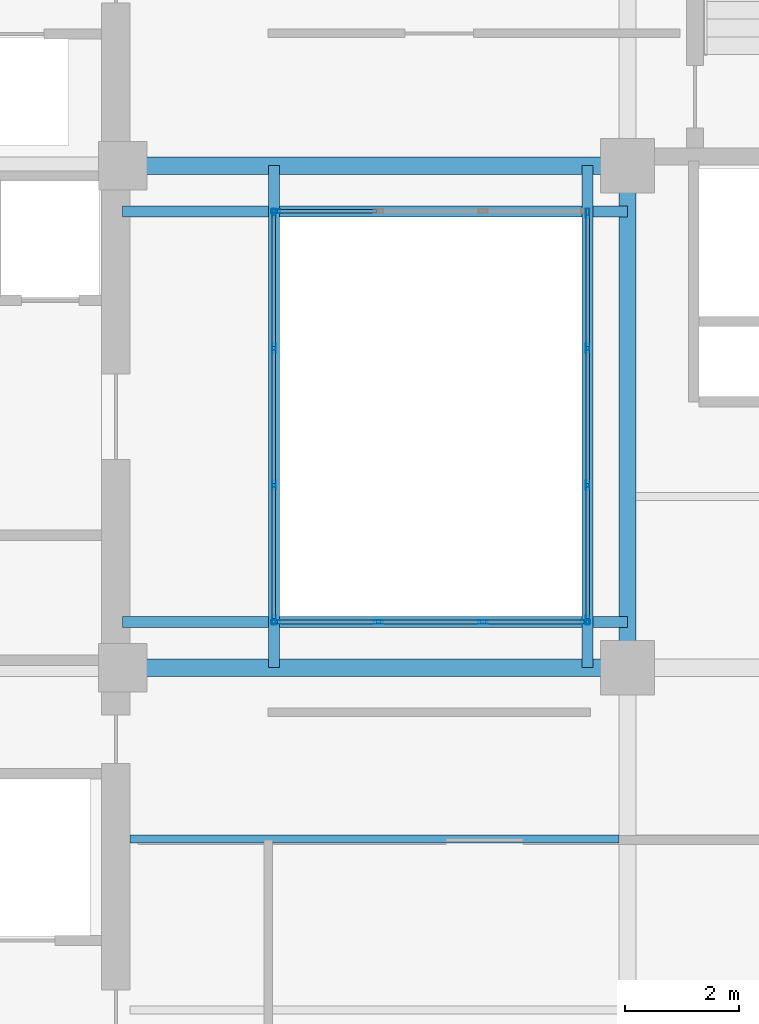
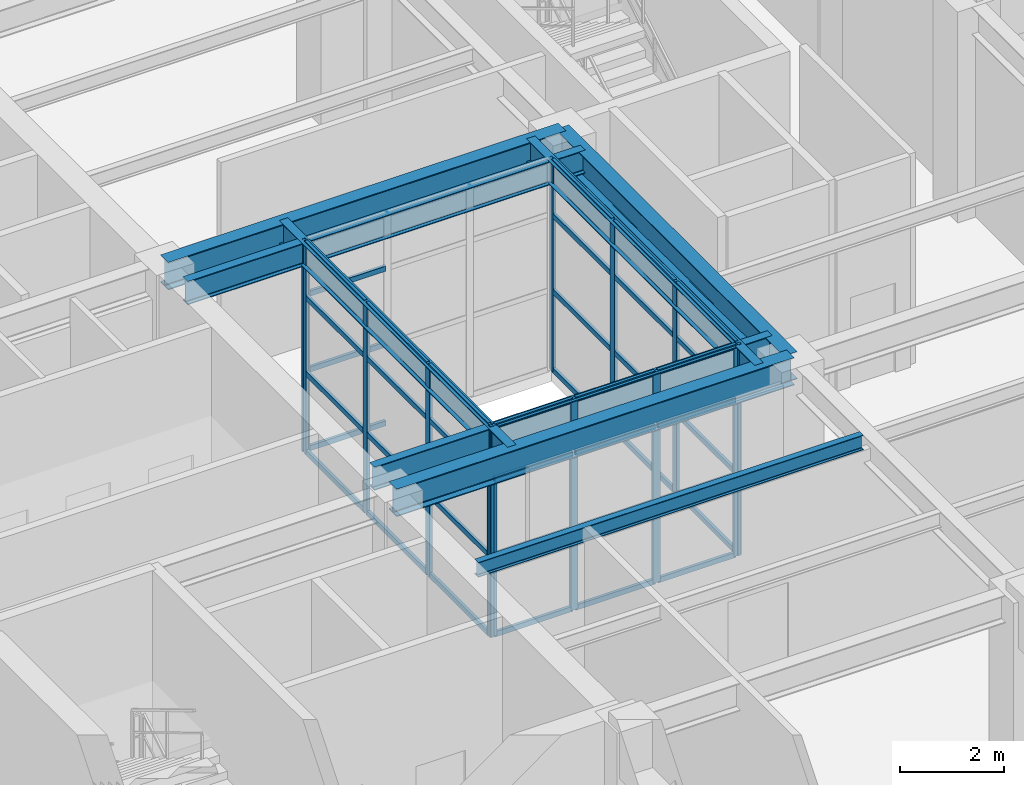
# One storey, part 2 of 13: 52 members, 8 beams, 4 elements without a shape of their own.
"""IFC4 building model written with IfcOpenShell, lengths in metres."""

from ifc_helpers import new_model, si_unit, direction, frame, origin, origin_2d, place, context, subcontext, project, spatial, hollow_rectangle, i_section, extrude, material, layer, layer_set, material_profile, profile_set, type_object, element, aggregate, save


model = new_model("IFC4")

# Units and contexts
model_context = context("Model", 3, precision=1e-05, world=origin(), true_north=direction((0.0, 1.0)))
body_context = subcontext(model_context, "Body", "Model", "MODEL_VIEW")
ifc_project = project(units=[si_unit("LENGTHUNIT", "METRE"), si_unit("AREAUNIT", "SQUARE_METRE"), si_unit("VOLUMEUNIT", "CUBIC_METRE"), si_unit("PLANEANGLEUNIT", "RADIAN"), si_unit("MASSUNIT", "GRAM", prefix="KILO")], contexts=[model_context])

# Site, building, storey
site_placement = place(None, origin())
site = spatial("IfcSite", under=ifc_project, at=site_placement, CompositionType="ELEMENT")
building_placement = place(site_placement, origin())
building = spatial("IfcBuilding", under=site, at=building_placement, Name="Kundavana Baori Tower", CompositionType="ELEMENT")
storey_placement = place(building_placement, frame((0.0, 0.0, 208.89990234375)))
storey = spatial("IfcBuildingStorey", under=building, at=storey_placement, Name="L51", CompositionType="ELEMENT", Elevation=208.89990234375)

# Beams
ifc_material_1 = material(Name="Structural Steel S355JR", Category="steel")
ifc_material_profile_1 = material_profile(ifc_material_1, i_section(OverallWidth=0.139892578125, OverallDepth=0.35009765625, WebThickness=0.008056640625, FlangeThickness=0.01416015625, FilletRadius=0.013916015625, at=origin_2d()), Name="ISMB 350")
ifc_profile_set_1 = profile_set([ifc_material_profile_1], Name="Structural Steel S355JR")
beam_type_1 = type_object("IfcBeamType", Name="BM-JST-350", PredefinedType="JOIST", material=ifc_profile_set_1)
beam_1_placement = place(storey_placement, frame((25.080078125, 21.199951171875, 4.78515625), z_axis=(1.0, 0.0, 0.0), x_axis=(0.0, 1.0, 0.0)))
element("IfcBeam", 1, at=beam_1_placement, inside=storey, type_object=beam_type_1, Name="L51 Central Bay Composite Floor Joist C2", PredefinedType="JOIST", context=body_context, shape_type="SweptSolid", body=[
    extrude(i_section(OverallWidth=0.139892578125, OverallDepth=0.35009765625, WebThickness=0.008056640625, FlangeThickness=0.01416015625, FilletRadius=0.013916015625, at=origin_2d()), origin(), (0.0, 0.0, 1.0), 8.56982421875),
])
ifc_material_2 = material(Name="Structural Steel S355JR", Category="steel")
ifc_material_profile_2 = material_profile(ifc_material_2, i_section(OverallWidth=0.18994140625, OverallDepth=0.550048828125, WebThickness=0.01123046875, FlangeThickness=0.019287109375, FilletRadius=0.01806640625, at=origin_2d()), Name="ISMB 550")
ifc_profile_set_2 = profile_set([ifc_material_profile_2], Name="Structural Steel S355JR")
beam_type_2 = type_object("IfcBeamType", Name="BM-ST-550", PredefinedType="BEAM", material=ifc_profile_set_2)
for number, where, z_axis, x_axis, name in (
    (2, (27.60009765625, 24.199951171875, 4.68505859375), (0.0, 1.0, 0.0), (-1.0, 0.0, 0.0), "L51 Atrium West Edge Beam"),
    (3, (33.10009765625, 24.199951171875, 4.68505859375), (0.0, 1.0, 0.0), (-1.0, 0.0, 0.0), "L51 Atrium East Edge Beam"),
):
    element("IfcBeam", number, at=place(storey_placement, frame(where, z_axis=z_axis, x_axis=x_axis)), inside=storey, type_object=beam_type_2, Name=name, PredefinedType="BEAM", context=body_context, shape_type="SweptSolid", body=[
        extrude(i_section(OverallWidth=0.18994140625, OverallDepth=0.550048828125, WebThickness=0.01123046875, FlangeThickness=0.019287109375, FilletRadius=0.01806640625, at=origin_2d()), origin(), (0.0, 0.0, 1.0), 8.800048828125),
    ])
for number, where, z_axis, x_axis, name in (
    (4, (24.949951171875, 25.0, 4.68505859375), (1.0, 0.0, 0.0), (0.0, 1.0, 0.0), "L51 Atrium South Edge Beam"),
    (5, (24.949951171875, 32.199951171875, 4.68505859375), (1.0, 0.0, 0.0), (0.0, 1.0, 0.0), "L51 Atrium North Edge Beam"),
):
    element("IfcBeam", number, at=place(storey_placement, frame(where, z_axis=z_axis, x_axis=x_axis)), inside=storey, type_object=beam_type_2, Name=name, PredefinedType="BEAM", context=body_context, shape_type="SweptSolid", body=[
        extrude(i_section(OverallWidth=0.18994140625, OverallDepth=0.550048828125, WebThickness=0.01123046875, FlangeThickness=0.019287109375, FilletRadius=0.01806640625, at=origin_2d()), origin(), (0.0, 0.0, 1.0), 8.85009765625),
    ])
ifc_material_3 = material(Name="Structural Steel S355JR", Category="steel")
ifc_material_profile_3 = material_profile(ifc_material_3, i_section(OverallWidth=0.300048828125, OverallDepth=0.64990234375, WebThickness=0.013427734375, FlangeThickness=0.02197265625, FilletRadius=0.02392578125, at=origin_2d()), Name="NPB 650x300x155")
ifc_profile_set_3 = profile_set([ifc_material_profile_3], Name="Structural Steel S355JR")
beam_type_3 = type_object("IfcBeamType", Name="BM-ST-650", PredefinedType="BEAM", material=ifc_profile_set_3)
for number, where, z_axis, x_axis, name in (
    (6, (24.949951171875, 24.199951171875, 4.635009765625), (1.0, 0.0, 0.0), (0.0, 1.0, 0.0), "L51 Primary Grid Girder GX-2-2"),
    (7, (24.949951171875, 33.0, 4.635009765625), (1.0, 0.0, 0.0), (0.0, 1.0, 0.0), "L51 Primary Grid Girder GX-3-2"),
):
    element("IfcBeam", number, at=place(storey_placement, frame(where, z_axis=z_axis, x_axis=x_axis)), inside=storey, type_object=beam_type_3, Name=name, PredefinedType="BEAM", context=body_context, shape_type="SweptSolid", body=[
        extrude(i_section(OverallWidth=0.300048828125, OverallDepth=0.64990234375, WebThickness=0.013427734375, FlangeThickness=0.02197265625, FilletRadius=0.02392578125, at=origin_2d()), origin(), (0.0, 0.0, 1.0), 8.85009765625),
    ])
beam_2_placement = place(storey_placement, frame((33.800048828125, 24.199951171875, 4.635009765625), z_axis=(0.0, 1.0, 0.0), x_axis=(-1.0, 0.0, 0.0)))
element("IfcBeam", 8, at=beam_2_placement, inside=storey, type_object=beam_type_3, Name="L51 Primary Grid Girder GY-3-2", PredefinedType="BEAM", context=body_context, shape_type="SweptSolid", body=[
    extrude(i_section(OverallWidth=0.300048828125, OverallDepth=0.64990234375, WebThickness=0.013427734375, FlangeThickness=0.02197265625, FilletRadius=0.02392578125, at=origin_2d()), origin(), (0.0, 0.0, 1.0), 8.800048828125),
])

# Curtain wall, members
ifc_material_4 = material(Name="Thermally Broken Anodised Aluminium Framing", Category="aluminium")
ifc_layer = layer(ifc_material_4, 0.219970703125, Name="CW-SYS-5")
ifc_layer_set = layer_set([ifc_layer], Name="Thermally Broken Anodised Aluminium Framing")
curtain_wall_type = type_object("IfcCurtainWallType", Name="CW-SYS-5", PredefinedType="NOTDEFINED", material=ifc_layer_set)
curtain_wall_1_placement = place(storey_placement, origin())
curtain_wall_1 = element("IfcCurtainWall", 9, at=curtain_wall_1_placement, inside=storey, type_object=curtain_wall_type, Name="L51 Atrium Glazed Curtain Wall S", PredefinedType="NOTDEFINED")
ifc_material_5 = material(Name="Thermally Broken Anodised Aluminium Framing", Category="aluminium")
ifc_material_profile_4 = material_profile(ifc_material_5, hollow_rectangle(XDim=0.06494140625, YDim=0.159912109375, WallThickness=0.00390625, at=origin_2d()), Name="CW-MULL-160")
ifc_profile_set_4 = profile_set([ifc_material_profile_4], Name="Thermally Broken Anodised Aluminium Framing")
member_type_1 = type_object("IfcMemberType", Name="CW-MULL-160", PredefinedType="MULLION", material=ifc_profile_set_4)
member_1_placement = place(storey_placement, frame((27.632568359375, 25.0, 0.0), z_axis=(0.0, 0.0, 1.0), x_axis=(0.0, 1.0, 0.0)))
member_1 = element("IfcMember", 10, at=member_1_placement, type_object=member_type_1, Name="CW5 mullion 1", PredefinedType="MULLION", context=body_context, shape_type="SweptSolid", body=[
    extrude(hollow_rectangle(XDim=0.06494140625, YDim=0.159912109375, WallThickness=0.00390625, at=origin_2d()), origin(), (0.0, 0.0, 1.0), 4.960205078125),
])
member_2_placement = place(storey_placement, frame((29.433349609375, 25.0, 0.0), z_axis=(0.0, 0.0, 1.0), x_axis=(0.0, 1.0, 0.0)))
member_2 = element("IfcMember", 11, at=member_2_placement, type_object=member_type_1, Name="CW5 mullion 2", PredefinedType="MULLION", context=body_context, shape_type="SweptSolid", body=[
    extrude(hollow_rectangle(XDim=0.06494140625, YDim=0.159912109375, WallThickness=0.00390625, at=origin_2d()), origin(), (0.0, 0.0, 1.0), 4.960205078125),
])
member_3_placement = place(storey_placement, frame((31.2666015625, 25.0, 0.0), z_axis=(0.0, 0.0, 1.0), x_axis=(0.0, 1.0, 0.0)))
member_3 = element("IfcMember", 12, at=member_3_placement, type_object=member_type_1, Name="CW5 mullion 3", PredefinedType="MULLION", context=body_context, shape_type="SweptSolid", body=[
    extrude(hollow_rectangle(XDim=0.06494140625, YDim=0.159912109375, WallThickness=0.00390625, at=origin_2d()), origin(), (0.0, 0.0, 1.0), 4.960205078125),
])
member_4_placement = place(storey_placement, frame((33.0673828125, 25.0, 0.0), z_axis=(0.0, 0.0, 1.0), x_axis=(0.0, 1.0, 0.0)))
member_4 = element("IfcMember", 13, at=member_4_placement, type_object=member_type_1, Name="CW5 mullion 4", PredefinedType="MULLION", context=body_context, shape_type="SweptSolid", body=[
    extrude(hollow_rectangle(XDim=0.06494140625, YDim=0.159912109375, WallThickness=0.00390625, at=origin_2d()), origin(), (0.0, 0.0, 1.0), 4.960205078125),
])

curtain_wall_2_placement = place(storey_placement, origin())
curtain_wall_2 = element("IfcCurtainWall", 14, at=curtain_wall_2_placement, inside=storey, type_object=curtain_wall_type, Name="L51 Atrium Glazed Curtain Wall E", PredefinedType="NOTDEFINED")
member_5_placement = place(storey_placement, frame((33.10009765625, 25.032470703125, 0.0), z_axis=(0.0, 0.0, 1.0), x_axis=(-1.0, 0.0, 0.0)))
member_5 = element("IfcMember", 15, at=member_5_placement, type_object=member_type_1, Name="CW5 mullion 1", PredefinedType="MULLION", context=body_context, shape_type="SweptSolid", body=[
    extrude(hollow_rectangle(XDim=0.06494140625, YDim=0.159912109375, WallThickness=0.00390625, at=origin_2d()), origin(), (0.0, 0.0, 1.0), 4.960205078125),
])
member_6_placement = place(storey_placement, frame((33.10009765625, 27.39990234375, 0.0), z_axis=(0.0, 0.0, 1.0), x_axis=(-1.0, 0.0, 0.0)))
member_6 = element("IfcMember", 16, at=member_6_placement, type_object=member_type_1, Name="CW5 mullion 2", PredefinedType="MULLION", context=body_context, shape_type="SweptSolid", body=[
    extrude(hollow_rectangle(XDim=0.06494140625, YDim=0.159912109375, WallThickness=0.00390625, at=origin_2d()), origin(), (0.0, 0.0, 1.0), 4.960205078125),
])
member_7_placement = place(storey_placement, frame((33.10009765625, 29.800048828125, 0.0), z_axis=(0.0, 0.0, 1.0), x_axis=(-1.0, 0.0, 0.0)))
member_7 = element("IfcMember", 17, at=member_7_placement, type_object=member_type_1, Name="CW5 mullion 3", PredefinedType="MULLION", context=body_context, shape_type="SweptSolid", body=[
    extrude(hollow_rectangle(XDim=0.06494140625, YDim=0.159912109375, WallThickness=0.00390625, at=origin_2d()), origin(), (0.0, 0.0, 1.0), 4.960205078125),
])
member_8_placement = place(storey_placement, frame((33.10009765625, 32.16748046875, 0.0), z_axis=(0.0, 0.0, 1.0), x_axis=(-1.0, 0.0, 0.0)))
member_8 = element("IfcMember", 18, at=member_8_placement, type_object=member_type_1, Name="CW5 mullion 4", PredefinedType="MULLION", context=body_context, shape_type="SweptSolid", body=[
    extrude(hollow_rectangle(XDim=0.06494140625, YDim=0.159912109375, WallThickness=0.00390625, at=origin_2d()), origin(), (0.0, 0.0, 1.0), 4.960205078125),
])

# Curtain wall, member
curtain_wall_3_placement = place(storey_placement, origin())
curtain_wall_3 = element("IfcCurtainWall", 19, at=curtain_wall_3_placement, inside=storey, type_object=curtain_wall_type, Name="L51 Atrium Glazed Curtain Wall N", PredefinedType="NOTDEFINED")
member_9_placement = place(storey_placement, frame((27.632568359375, 32.199951171875, 0.0), z_axis=(0.0, 0.0, 1.0), x_axis=(0.0, -1.0, 0.0)))
member_9 = element("IfcMember", 20, at=member_9_placement, type_object=member_type_1, Name="CW5 mullion 4", PredefinedType="MULLION", context=body_context, shape_type="SweptSolid", body=[
    extrude(hollow_rectangle(XDim=0.06494140625, YDim=0.159912109375, WallThickness=0.00390625, at=origin_2d()), origin(), (0.0, 0.0, 1.0), 4.960205078125),
])

# Curtain wall, members
curtain_wall_4_placement = place(storey_placement, origin())
curtain_wall_4 = element("IfcCurtainWall", 21, at=curtain_wall_4_placement, inside=storey, type_object=curtain_wall_type, Name="L51 Atrium Glazed Curtain Wall W", PredefinedType="NOTDEFINED")
member_10_placement = place(storey_placement, frame((27.60009765625, 32.16748046875, 0.0), z_axis=(0.0, 0.0, 1.0), x_axis=(1.0, 0.0, 0.0)))
member_10 = element("IfcMember", 22, at=member_10_placement, type_object=member_type_1, Name="CW5 mullion 1", PredefinedType="MULLION", context=body_context, shape_type="SweptSolid", body=[
    extrude(hollow_rectangle(XDim=0.06494140625, YDim=0.159912109375, WallThickness=0.00390625, at=origin_2d()), origin(), (0.0, 0.0, 1.0), 4.960205078125),
])
member_11_placement = place(storey_placement, frame((27.60009765625, 29.800048828125, 0.0), z_axis=(0.0, 0.0, 1.0), x_axis=(1.0, 0.0, 0.0)))
member_11 = element("IfcMember", 23, at=member_11_placement, type_object=member_type_1, Name="CW5 mullion 2", PredefinedType="MULLION", context=body_context, shape_type="SweptSolid", body=[
    extrude(hollow_rectangle(XDim=0.06494140625, YDim=0.159912109375, WallThickness=0.00390625, at=origin_2d()), origin(), (0.0, 0.0, 1.0), 4.960205078125),
])
member_12_placement = place(storey_placement, frame((27.60009765625, 27.39990234375, 0.0), z_axis=(0.0, 0.0, 1.0), x_axis=(1.0, 0.0, 0.0)))
member_12 = element("IfcMember", 24, at=member_12_placement, type_object=member_type_1, Name="CW5 mullion 3", PredefinedType="MULLION", context=body_context, shape_type="SweptSolid", body=[
    extrude(hollow_rectangle(XDim=0.06494140625, YDim=0.159912109375, WallThickness=0.00390625, at=origin_2d()), origin(), (0.0, 0.0, 1.0), 4.960205078125),
])
member_13_placement = place(storey_placement, frame((27.60009765625, 25.032470703125, 0.0), z_axis=(0.0, 0.0, 1.0), x_axis=(1.0, 0.0, 0.0)))
member_13 = element("IfcMember", 25, at=member_13_placement, type_object=member_type_1, Name="CW5 mullion 4", PredefinedType="MULLION", context=body_context, shape_type="SweptSolid", body=[
    extrude(hollow_rectangle(XDim=0.06494140625, YDim=0.159912109375, WallThickness=0.00390625, at=origin_2d()), origin(), (0.0, 0.0, 1.0), 4.960205078125),
])

# Member
ifc_material_6 = material(Name="Thermally Broken Anodised Aluminium Framing", Category="aluminium")
ifc_material_profile_5 = material_profile(ifc_material_6, hollow_rectangle(XDim=0.06494140625, YDim=0.1201171875, WallThickness=0.00390625, at=origin_2d()), Name="CW-TRAN-120")
ifc_profile_set_5 = profile_set([ifc_material_profile_5], Name="Thermally Broken Anodised Aluminium Framing")
member_type_2 = type_object("IfcMemberType", Name="CW-TRAN-120", PredefinedType="USERDEFINED", material=ifc_profile_set_5)
member_14_placement = place(storey_placement, frame((27.6650390625, 25.0, 0.03271484375), z_axis=(1.0, 0.0, 0.0), x_axis=(0.0, 1.0, 0.0)))
member_14 = element("IfcMember", 26, at=member_14_placement, type_object=member_type_2, Name="CW5 transom 1.1", ObjectType="TRANSOM", PredefinedType="USERDEFINED", context=body_context, shape_type="SweptSolid", body=[
    extrude(hollow_rectangle(XDim=0.06494140625, YDim=0.1201171875, WallThickness=0.00390625, at=origin_2d()), origin(), (0.0, 0.0, 1.0), 1.73583984375),
])

member_15_placement = place(storey_placement, frame((27.6650390625, 25.0, 1.885009765625), z_axis=(1.0, 0.0, 0.0), x_axis=(0.0, 1.0, 0.0)))
member_15 = element("IfcMember", 27, at=member_15_placement, type_object=member_type_2, Name="CW5 transom 1.2", ObjectType="TRANSOM", PredefinedType="USERDEFINED", context=body_context, shape_type="SweptSolid", body=[
    extrude(hollow_rectangle(XDim=0.06494140625, YDim=0.1201171875, WallThickness=0.00390625, at=origin_2d()), origin(), (0.0, 0.0, 1.0), 1.73583984375),
])

member_16_placement = place(storey_placement, frame((27.6650390625, 25.0, 3.67041015625), z_axis=(1.0, 0.0, 0.0), x_axis=(0.0, 1.0, 0.0)))
member_16 = element("IfcMember", 28, at=member_16_placement, type_object=member_type_2, Name="CW5 transom 1.3", ObjectType="TRANSOM", PredefinedType="USERDEFINED", context=body_context, shape_type="SweptSolid", body=[
    extrude(hollow_rectangle(XDim=0.06494140625, YDim=0.1201171875, WallThickness=0.00390625, at=origin_2d()), origin(), (0.0, 0.0, 1.0), 1.73583984375),
])

member_17_placement = place(storey_placement, frame((27.6650390625, 25.0, 4.927490234375), z_axis=(1.0, 0.0, 0.0), x_axis=(0.0, 1.0, 0.0)))
member_17 = element("IfcMember", 29, at=member_17_placement, type_object=member_type_2, Name="CW5 transom 1.4", ObjectType="TRANSOM", PredefinedType="USERDEFINED", context=body_context, shape_type="SweptSolid", body=[
    extrude(hollow_rectangle(XDim=0.06494140625, YDim=0.1201171875, WallThickness=0.00390625, at=origin_2d()), origin(), (0.0, 0.0, 1.0), 1.73583984375),
])

member_18_placement = place(storey_placement, frame((29.4658203125, 25.0, 0.03271484375), z_axis=(1.0, 0.0, 0.0), x_axis=(0.0, 1.0, 0.0)))
member_18 = element("IfcMember", 30, at=member_18_placement, type_object=member_type_2, Name="CW5 transom 2.1", ObjectType="TRANSOM", PredefinedType="USERDEFINED", context=body_context, shape_type="SweptSolid", body=[
    extrude(hollow_rectangle(XDim=0.06494140625, YDim=0.1201171875, WallThickness=0.00390625, at=origin_2d()), origin(), (0.0, 0.0, 1.0), 1.768310546875),
])

member_19_placement = place(storey_placement, frame((29.4658203125, 25.0, 1.885009765625), z_axis=(1.0, 0.0, 0.0), x_axis=(0.0, 1.0, 0.0)))
member_19 = element("IfcMember", 31, at=member_19_placement, type_object=member_type_2, Name="CW5 transom 2.2", ObjectType="TRANSOM", PredefinedType="USERDEFINED", context=body_context, shape_type="SweptSolid", body=[
    extrude(hollow_rectangle(XDim=0.06494140625, YDim=0.1201171875, WallThickness=0.00390625, at=origin_2d()), origin(), (0.0, 0.0, 1.0), 1.768310546875),
])

member_20_placement = place(storey_placement, frame((29.4658203125, 25.0, 3.67041015625), z_axis=(1.0, 0.0, 0.0), x_axis=(0.0, 1.0, 0.0)))
member_20 = element("IfcMember", 32, at=member_20_placement, type_object=member_type_2, Name="CW5 transom 2.3", ObjectType="TRANSOM", PredefinedType="USERDEFINED", context=body_context, shape_type="SweptSolid", body=[
    extrude(hollow_rectangle(XDim=0.06494140625, YDim=0.1201171875, WallThickness=0.00390625, at=origin_2d()), origin(), (0.0, 0.0, 1.0), 1.768310546875),
])

member_21_placement = place(storey_placement, frame((29.4658203125, 25.0, 4.927490234375), z_axis=(1.0, 0.0, 0.0), x_axis=(0.0, 1.0, 0.0)))
member_21 = element("IfcMember", 33, at=member_21_placement, type_object=member_type_2, Name="CW5 transom 2.4", ObjectType="TRANSOM", PredefinedType="USERDEFINED", context=body_context, shape_type="SweptSolid", body=[
    extrude(hollow_rectangle(XDim=0.06494140625, YDim=0.1201171875, WallThickness=0.00390625, at=origin_2d()), origin(), (0.0, 0.0, 1.0), 1.768310546875),
])

member_22_placement = place(storey_placement, frame((31.299072265625, 25.0, 0.03271484375), z_axis=(1.0, 0.0, 0.0), x_axis=(0.0, 1.0, 0.0)))
member_22 = element("IfcMember", 34, at=member_22_placement, type_object=member_type_2, Name="CW5 transom 3.1", ObjectType="TRANSOM", PredefinedType="USERDEFINED", context=body_context, shape_type="SweptSolid", body=[
    extrude(hollow_rectangle(XDim=0.06494140625, YDim=0.1201171875, WallThickness=0.00390625, at=origin_2d()), origin(), (0.0, 0.0, 1.0), 1.73583984375),
])

member_23_placement = place(storey_placement, frame((31.299072265625, 25.0, 1.885009765625), z_axis=(1.0, 0.0, 0.0), x_axis=(0.0, 1.0, 0.0)))
member_23 = element("IfcMember", 35, at=member_23_placement, type_object=member_type_2, Name="CW5 transom 3.2", ObjectType="TRANSOM", PredefinedType="USERDEFINED", context=body_context, shape_type="SweptSolid", body=[
    extrude(hollow_rectangle(XDim=0.06494140625, YDim=0.1201171875, WallThickness=0.00390625, at=origin_2d()), origin(), (0.0, 0.0, 1.0), 1.73583984375),
])

member_24_placement = place(storey_placement, frame((31.299072265625, 25.0, 3.67041015625), z_axis=(1.0, 0.0, 0.0), x_axis=(0.0, 1.0, 0.0)))
member_24 = element("IfcMember", 36, at=member_24_placement, type_object=member_type_2, Name="CW5 transom 3.3", ObjectType="TRANSOM", PredefinedType="USERDEFINED", context=body_context, shape_type="SweptSolid", body=[
    extrude(hollow_rectangle(XDim=0.06494140625, YDim=0.1201171875, WallThickness=0.00390625, at=origin_2d()), origin(), (0.0, 0.0, 1.0), 1.73583984375),
])

member_25_placement = place(storey_placement, frame((31.299072265625, 25.0, 4.927490234375), z_axis=(1.0, 0.0, 0.0), x_axis=(0.0, 1.0, 0.0)))
member_25 = element("IfcMember", 37, at=member_25_placement, type_object=member_type_2, Name="CW5 transom 3.4", ObjectType="TRANSOM", PredefinedType="USERDEFINED", context=body_context, shape_type="SweptSolid", body=[
    extrude(hollow_rectangle(XDim=0.06494140625, YDim=0.1201171875, WallThickness=0.00390625, at=origin_2d()), origin(), (0.0, 0.0, 1.0), 1.73583984375),
])

aggregate(curtain_wall_1, [member_1, member_2, member_3, member_4, member_14, member_15, member_16, member_17, member_18, member_19, member_20, member_21, member_22, member_23, member_24, member_25])

member_26_placement = place(storey_placement, frame((33.10009765625, 25.06494140625, 0.03271484375), z_axis=(0.0, 1.0, 0.0), x_axis=(-1.0, 0.0, 0.0)))
member_26 = element("IfcMember", 38, at=member_26_placement, type_object=member_type_2, Name="CW5 transom 1.1", ObjectType="TRANSOM", PredefinedType="USERDEFINED", context=body_context, shape_type="SweptSolid", body=[
    extrude(hollow_rectangle(XDim=0.06494140625, YDim=0.1201171875, WallThickness=0.00390625, at=origin_2d()), origin(), (0.0, 0.0, 1.0), 2.302490234375),
])

member_27_placement = place(storey_placement, frame((33.10009765625, 25.06494140625, 1.885009765625), z_axis=(0.0, 1.0, 0.0), x_axis=(-1.0, 0.0, 0.0)))
member_27 = element("IfcMember", 39, at=member_27_placement, type_object=member_type_2, Name="CW5 transom 1.2", ObjectType="TRANSOM", PredefinedType="USERDEFINED", context=body_context, shape_type="SweptSolid", body=[
    extrude(hollow_rectangle(XDim=0.06494140625, YDim=0.1201171875, WallThickness=0.00390625, at=origin_2d()), origin(), (0.0, 0.0, 1.0), 2.302490234375),
])

member_28_placement = place(storey_placement, frame((33.10009765625, 25.06494140625, 3.67041015625), z_axis=(0.0, 1.0, 0.0), x_axis=(-1.0, 0.0, 0.0)))
member_28 = element("IfcMember", 40, at=member_28_placement, type_object=member_type_2, Name="CW5 transom 1.3", ObjectType="TRANSOM", PredefinedType="USERDEFINED", context=body_context, shape_type="SweptSolid", body=[
    extrude(hollow_rectangle(XDim=0.06494140625, YDim=0.1201171875, WallThickness=0.00390625, at=origin_2d()), origin(), (0.0, 0.0, 1.0), 2.302490234375),
])

member_29_placement = place(storey_placement, frame((33.10009765625, 25.06494140625, 4.927490234375), z_axis=(0.0, 1.0, 0.0), x_axis=(-1.0, 0.0, 0.0)))
member_29 = element("IfcMember", 41, at=member_29_placement, type_object=member_type_2, Name="CW5 transom 1.4", ObjectType="TRANSOM", PredefinedType="USERDEFINED", context=body_context, shape_type="SweptSolid", body=[
    extrude(hollow_rectangle(XDim=0.06494140625, YDim=0.1201171875, WallThickness=0.00390625, at=origin_2d()), origin(), (0.0, 0.0, 1.0), 2.302490234375),
])

member_30_placement = place(storey_placement, frame((33.10009765625, 27.4326171875, 0.03271484375), z_axis=(0.0, 1.0, 0.0), x_axis=(-1.0, 0.0, 0.0)))
member_30 = element("IfcMember", 42, at=member_30_placement, type_object=member_type_2, Name="CW5 transom 2.1", ObjectType="TRANSOM", PredefinedType="USERDEFINED", context=body_context, shape_type="SweptSolid", body=[
    extrude(hollow_rectangle(XDim=0.06494140625, YDim=0.1201171875, WallThickness=0.00390625, at=origin_2d()), origin(), (0.0, 0.0, 1.0), 2.3349609375),
])

member_31_placement = place(storey_placement, frame((33.10009765625, 27.4326171875, 1.885009765625), z_axis=(0.0, 1.0, 0.0), x_axis=(-1.0, 0.0, 0.0)))
member_31 = element("IfcMember", 43, at=member_31_placement, type_object=member_type_2, Name="CW5 transom 2.2", ObjectType="TRANSOM", PredefinedType="USERDEFINED", context=body_context, shape_type="SweptSolid", body=[
    extrude(hollow_rectangle(XDim=0.06494140625, YDim=0.1201171875, WallThickness=0.00390625, at=origin_2d()), origin(), (0.0, 0.0, 1.0), 2.3349609375),
])

member_32_placement = place(storey_placement, frame((33.10009765625, 27.4326171875, 3.67041015625), z_axis=(0.0, 1.0, 0.0), x_axis=(-1.0, 0.0, 0.0)))
member_32 = element("IfcMember", 44, at=member_32_placement, type_object=member_type_2, Name="CW5 transom 2.3", ObjectType="TRANSOM", PredefinedType="USERDEFINED", context=body_context, shape_type="SweptSolid", body=[
    extrude(hollow_rectangle(XDim=0.06494140625, YDim=0.1201171875, WallThickness=0.00390625, at=origin_2d()), origin(), (0.0, 0.0, 1.0), 2.3349609375),
])

member_33_placement = place(storey_placement, frame((33.10009765625, 27.4326171875, 4.927490234375), z_axis=(0.0, 1.0, 0.0), x_axis=(-1.0, 0.0, 0.0)))
member_33 = element("IfcMember", 45, at=member_33_placement, type_object=member_type_2, Name="CW5 transom 2.4", ObjectType="TRANSOM", PredefinedType="USERDEFINED", context=body_context, shape_type="SweptSolid", body=[
    extrude(hollow_rectangle(XDim=0.06494140625, YDim=0.1201171875, WallThickness=0.00390625, at=origin_2d()), origin(), (0.0, 0.0, 1.0), 2.3349609375),
])

member_34_placement = place(storey_placement, frame((33.10009765625, 29.83251953125, 0.03271484375), z_axis=(0.0, 1.0, 0.0), x_axis=(-1.0, 0.0, 0.0)))
member_34 = element("IfcMember", 46, at=member_34_placement, type_object=member_type_2, Name="CW5 transom 3.1", ObjectType="TRANSOM", PredefinedType="USERDEFINED", context=body_context, shape_type="SweptSolid", body=[
    extrude(hollow_rectangle(XDim=0.06494140625, YDim=0.1201171875, WallThickness=0.00390625, at=origin_2d()), origin(), (0.0, 0.0, 1.0), 2.302490234375),
])

member_35_placement = place(storey_placement, frame((33.10009765625, 29.83251953125, 1.885009765625), z_axis=(0.0, 1.0, 0.0), x_axis=(-1.0, 0.0, 0.0)))
member_35 = element("IfcMember", 47, at=member_35_placement, type_object=member_type_2, Name="CW5 transom 3.2", ObjectType="TRANSOM", PredefinedType="USERDEFINED", context=body_context, shape_type="SweptSolid", body=[
    extrude(hollow_rectangle(XDim=0.06494140625, YDim=0.1201171875, WallThickness=0.00390625, at=origin_2d()), origin(), (0.0, 0.0, 1.0), 2.302490234375),
])

member_36_placement = place(storey_placement, frame((33.10009765625, 29.83251953125, 3.67041015625), z_axis=(0.0, 1.0, 0.0), x_axis=(-1.0, 0.0, 0.0)))
member_36 = element("IfcMember", 48, at=member_36_placement, type_object=member_type_2, Name="CW5 transom 3.3", ObjectType="TRANSOM", PredefinedType="USERDEFINED", context=body_context, shape_type="SweptSolid", body=[
    extrude(hollow_rectangle(XDim=0.06494140625, YDim=0.1201171875, WallThickness=0.00390625, at=origin_2d()), origin(), (0.0, 0.0, 1.0), 2.302490234375),
])

member_37_placement = place(storey_placement, frame((33.10009765625, 29.83251953125, 4.927490234375), z_axis=(0.0, 1.0, 0.0), x_axis=(-1.0, 0.0, 0.0)))
member_37 = element("IfcMember", 49, at=member_37_placement, type_object=member_type_2, Name="CW5 transom 3.4", ObjectType="TRANSOM", PredefinedType="USERDEFINED", context=body_context, shape_type="SweptSolid", body=[
    extrude(hollow_rectangle(XDim=0.06494140625, YDim=0.1201171875, WallThickness=0.00390625, at=origin_2d()), origin(), (0.0, 0.0, 1.0), 2.302490234375),
])

aggregate(curtain_wall_2, [member_5, member_6, member_7, member_8, member_26, member_27, member_28, member_29, member_30, member_31, member_32, member_33, member_34, member_35, member_36, member_37])

member_38_placement = place(storey_placement, frame((29.40087890625, 32.199951171875, 0.03271484375), z_axis=(-1.0, 0.0, 0.0), x_axis=(0.0, -1.0, 0.0)))
member_38 = element("IfcMember", 50, at=member_38_placement, type_object=member_type_2, Name="CW5 transom 3.1", ObjectType="TRANSOM", PredefinedType="USERDEFINED", context=body_context, shape_type="SweptSolid", body=[
    extrude(hollow_rectangle(XDim=0.06494140625, YDim=0.1201171875, WallThickness=0.00390625, at=origin_2d()), origin(), (0.0, 0.0, 1.0), 1.73583984375),
])

member_39_placement = place(storey_placement, frame((29.40087890625, 32.199951171875, 1.885009765625), z_axis=(-1.0, 0.0, 0.0), x_axis=(0.0, -1.0, 0.0)))
member_39 = element("IfcMember", 51, at=member_39_placement, type_object=member_type_2, Name="CW5 transom 3.2", ObjectType="TRANSOM", PredefinedType="USERDEFINED", context=body_context, shape_type="SweptSolid", body=[
    extrude(hollow_rectangle(XDim=0.06494140625, YDim=0.1201171875, WallThickness=0.00390625, at=origin_2d()), origin(), (0.0, 0.0, 1.0), 1.73583984375),
])

member_40_placement = place(storey_placement, frame((29.40087890625, 32.199951171875, 3.67041015625), z_axis=(-1.0, 0.0, 0.0), x_axis=(0.0, -1.0, 0.0)))
member_40 = element("IfcMember", 52, at=member_40_placement, type_object=member_type_2, Name="CW5 transom 3.3", ObjectType="TRANSOM", PredefinedType="USERDEFINED", context=body_context, shape_type="SweptSolid", body=[
    extrude(hollow_rectangle(XDim=0.06494140625, YDim=0.1201171875, WallThickness=0.00390625, at=origin_2d()), origin(), (0.0, 0.0, 1.0), 1.73583984375),
])

aggregate(curtain_wall_3, [member_9, member_38, member_39, member_40])

member_41_placement = place(storey_placement, frame((27.60009765625, 32.135009765625, 0.03271484375), z_axis=(0.0, -1.0, 0.0), x_axis=(1.0, 0.0, 0.0)))
member_41 = element("IfcMember", 53, at=member_41_placement, type_object=member_type_2, Name="CW5 transom 1.1", ObjectType="TRANSOM", PredefinedType="USERDEFINED", context=body_context, shape_type="SweptSolid", body=[
    extrude(hollow_rectangle(XDim=0.06494140625, YDim=0.1201171875, WallThickness=0.00390625, at=origin_2d()), origin(), (0.0, 0.0, 1.0), 2.302490234375),
])

member_42_placement = place(storey_placement, frame((27.60009765625, 32.135009765625, 1.885009765625), z_axis=(0.0, -1.0, 0.0), x_axis=(1.0, 0.0, 0.0)))
member_42 = element("IfcMember", 54, at=member_42_placement, type_object=member_type_2, Name="CW5 transom 1.2", ObjectType="TRANSOM", PredefinedType="USERDEFINED", context=body_context, shape_type="SweptSolid", body=[
    extrude(hollow_rectangle(XDim=0.06494140625, YDim=0.1201171875, WallThickness=0.00390625, at=origin_2d()), origin(), (0.0, 0.0, 1.0), 2.302490234375),
])

member_43_placement = place(storey_placement, frame((27.60009765625, 32.135009765625, 3.67041015625), z_axis=(0.0, -1.0, 0.0), x_axis=(1.0, 0.0, 0.0)))
member_43 = element("IfcMember", 55, at=member_43_placement, type_object=member_type_2, Name="CW5 transom 1.3", ObjectType="TRANSOM", PredefinedType="USERDEFINED", context=body_context, shape_type="SweptSolid", body=[
    extrude(hollow_rectangle(XDim=0.06494140625, YDim=0.1201171875, WallThickness=0.00390625, at=origin_2d()), origin(), (0.0, 0.0, 1.0), 2.302490234375),
])

member_44_placement = place(storey_placement, frame((27.60009765625, 32.135009765625, 4.927490234375), z_axis=(0.0, -1.0, 0.0), x_axis=(1.0, 0.0, 0.0)))
member_44 = element("IfcMember", 56, at=member_44_placement, type_object=member_type_2, Name="CW5 transom 1.4", ObjectType="TRANSOM", PredefinedType="USERDEFINED", context=body_context, shape_type="SweptSolid", body=[
    extrude(hollow_rectangle(XDim=0.06494140625, YDim=0.1201171875, WallThickness=0.00390625, at=origin_2d()), origin(), (0.0, 0.0, 1.0), 2.302490234375),
])

member_45_placement = place(storey_placement, frame((27.60009765625, 29.767578125, 0.03271484375), z_axis=(0.0, -1.0, 0.0), x_axis=(1.0, 0.0, 0.0)))
member_45 = element("IfcMember", 57, at=member_45_placement, type_object=member_type_2, Name="CW5 transom 2.1", ObjectType="TRANSOM", PredefinedType="USERDEFINED", context=body_context, shape_type="SweptSolid", body=[
    extrude(hollow_rectangle(XDim=0.06494140625, YDim=0.1201171875, WallThickness=0.00390625, at=origin_2d()), origin(), (0.0, 0.0, 1.0), 2.3349609375),
])

member_46_placement = place(storey_placement, frame((27.60009765625, 29.767578125, 1.885009765625), z_axis=(0.0, -1.0, 0.0), x_axis=(1.0, 0.0, 0.0)))
member_46 = element("IfcMember", 58, at=member_46_placement, type_object=member_type_2, Name="CW5 transom 2.2", ObjectType="TRANSOM", PredefinedType="USERDEFINED", context=body_context, shape_type="SweptSolid", body=[
    extrude(hollow_rectangle(XDim=0.06494140625, YDim=0.1201171875, WallThickness=0.00390625, at=origin_2d()), origin(), (0.0, 0.0, 1.0), 2.3349609375),
])

member_47_placement = place(storey_placement, frame((27.60009765625, 29.767578125, 3.67041015625), z_axis=(0.0, -1.0, 0.0), x_axis=(1.0, 0.0, 0.0)))
member_47 = element("IfcMember", 59, at=member_47_placement, type_object=member_type_2, Name="CW5 transom 2.3", ObjectType="TRANSOM", PredefinedType="USERDEFINED", context=body_context, shape_type="SweptSolid", body=[
    extrude(hollow_rectangle(XDim=0.06494140625, YDim=0.1201171875, WallThickness=0.00390625, at=origin_2d()), origin(), (0.0, 0.0, 1.0), 2.3349609375),
])

member_48_placement = place(storey_placement, frame((27.60009765625, 29.767578125, 4.927490234375), z_axis=(0.0, -1.0, 0.0), x_axis=(1.0, 0.0, 0.0)))
member_48 = element("IfcMember", 60, at=member_48_placement, type_object=member_type_2, Name="CW5 transom 2.4", ObjectType="TRANSOM", PredefinedType="USERDEFINED", context=body_context, shape_type="SweptSolid", body=[
    extrude(hollow_rectangle(XDim=0.06494140625, YDim=0.1201171875, WallThickness=0.00390625, at=origin_2d()), origin(), (0.0, 0.0, 1.0), 2.3349609375),
])

member_49_placement = place(storey_placement, frame((27.60009765625, 27.367431640625, 0.03271484375), z_axis=(0.0, -1.0, 0.0), x_axis=(1.0, 0.0, 0.0)))
member_49 = element("IfcMember", 61, at=member_49_placement, type_object=member_type_2, Name="CW5 transom 3.1", ObjectType="TRANSOM", PredefinedType="USERDEFINED", context=body_context, shape_type="SweptSolid", body=[
    extrude(hollow_rectangle(XDim=0.06494140625, YDim=0.1201171875, WallThickness=0.00390625, at=origin_2d()), origin(), (0.0, 0.0, 1.0), 2.302490234375),
])

member_50_placement = place(storey_placement, frame((27.60009765625, 27.367431640625, 1.885009765625), z_axis=(0.0, -1.0, 0.0), x_axis=(1.0, 0.0, 0.0)))
member_50 = element("IfcMember", 62, at=member_50_placement, type_object=member_type_2, Name="CW5 transom 3.2", ObjectType="TRANSOM", PredefinedType="USERDEFINED", context=body_context, shape_type="SweptSolid", body=[
    extrude(hollow_rectangle(XDim=0.06494140625, YDim=0.1201171875, WallThickness=0.00390625, at=origin_2d()), origin(), (0.0, 0.0, 1.0), 2.302490234375),
])

member_51_placement = place(storey_placement, frame((27.60009765625, 27.367431640625, 3.67041015625), z_axis=(0.0, -1.0, 0.0), x_axis=(1.0, 0.0, 0.0)))
member_51 = element("IfcMember", 63, at=member_51_placement, type_object=member_type_2, Name="CW5 transom 3.3", ObjectType="TRANSOM", PredefinedType="USERDEFINED", context=body_context, shape_type="SweptSolid", body=[
    extrude(hollow_rectangle(XDim=0.06494140625, YDim=0.1201171875, WallThickness=0.00390625, at=origin_2d()), origin(), (0.0, 0.0, 1.0), 2.302490234375),
])

member_52_placement = place(storey_placement, frame((27.60009765625, 27.367431640625, 4.927490234375), z_axis=(0.0, -1.0, 0.0), x_axis=(1.0, 0.0, 0.0)))
member_52 = element("IfcMember", 64, at=member_52_placement, type_object=member_type_2, Name="CW5 transom 3.4", ObjectType="TRANSOM", PredefinedType="USERDEFINED", context=body_context, shape_type="SweptSolid", body=[
    extrude(hollow_rectangle(XDim=0.06494140625, YDim=0.1201171875, WallThickness=0.00390625, at=origin_2d()), origin(), (0.0, 0.0, 1.0), 2.302490234375),
])

aggregate(curtain_wall_4, [member_10, member_11, member_12, member_13, member_41, member_42, member_43, member_44, member_45, member_46, member_47, member_48, member_49, member_50, member_51, member_52])

save(model, "model.ifc")
